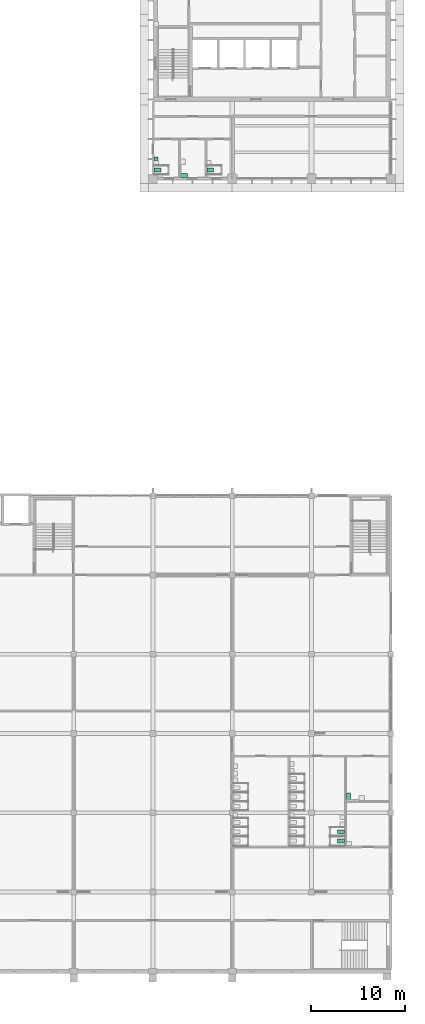
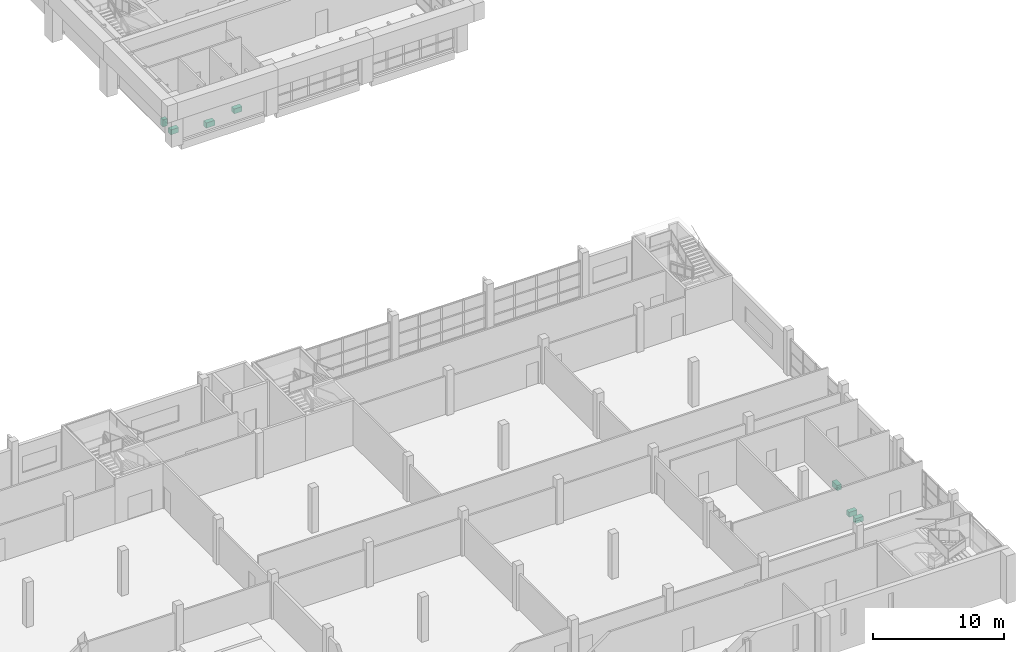
# One storey, part 56 of 56: 7 sanitary terminals.
"""IFC4 building model written with IfcOpenShell, lengths in metres."""

from ifc_helpers import new_model, si_unit, direction, frame, origin, origin_2d, place, context, subcontext, project, spatial, rectangle, extrude, material, type_object, element, save


model = new_model("IFC4")

# Units and contexts
model_context = context("Model", 3, precision=1e-05, world=origin(), true_north=direction((0.0, 1.0)))
body_context = subcontext(model_context, "Body", "Model", "MODEL_VIEW")
ifc_project = project(units=[si_unit("LENGTHUNIT", "METRE"), si_unit("AREAUNIT", "SQUARE_METRE"), si_unit("VOLUMEUNIT", "CUBIC_METRE"), si_unit("PLANEANGLEUNIT", "RADIAN"), si_unit("MASSUNIT", "GRAM", prefix="KILO")], contexts=[model_context])

# Site, building, storey
site_placement = place(None, origin())
site = spatial("IfcSite", under=ifc_project, at=site_placement, CompositionType="ELEMENT")
building_placement = place(site_placement, origin())
building = spatial("IfcBuilding", under=site, at=building_placement, Name="Rulbaag Community and Learning Centre", CompositionType="ELEMENT")
storey_placement = place(building_placement, frame((0.0, 0.0, 9.89990234375)))
storey = spatial("IfcBuildingStorey", under=building, at=storey_placement, Name="L02", CompositionType="ELEMENT", Elevation=9.89990234375)

# Sanitary terminals
ifc_material = material(Name="Vitreous china", Category="ceramic")
sanitary_terminal_type_1 = type_object("IfcSanitaryTerminalType", Name="UR-350", PredefinedType="URINAL", material=ifc_material)
sanitary_terminal_1_placement = place(storey_placement, frame((143.1298828125, 86.10498046875, 0.000244140625), z_axis=(0.0, 0.0, 1.0), x_axis=(1.0, 0.0, 0.0)))
element("IfcSanitaryTerminal", 1, at=sanitary_terminal_1_placement, inside=storey, type_object=sanitary_terminal_type_1, Name="Urinal 152", PredefinedType="URINAL", context=body_context, shape_type="SweptSolid", body=[
    extrude(rectangle(XDim=0.39990234375, YDim=0.35009765625, at=origin_2d()), origin(), (0.0, 0.0, 1.0), 0.64990234375),
])
sanitary_terminal_type_2 = type_object("IfcSanitaryTerminalType", Name="WC-400", PredefinedType="TOILETPAN", material=ifc_material)
for number, where, z_axis, x_axis, name in (
    (2, (162.719970703125, 13.820068359375, 0.0), (0.0, 0.0, 1.0), (1.0, 0.0, 0.0), "WC 107"),
    (3, (162.719970703125, 14.800048828125, 0.0), (0.0, 0.0, 1.0), (1.0, 0.0, 0.0), "WC 108"),
    (4, (143.280029296875, 84.919921875, 0.0), (0.0, 0.0, 1.0), (1.0, 0.0, 0.0), "WC 126"),
    (5, (148.8798828125, 84.919921875, 0.0), (0.0, 0.0, 1.0), (1.0, 0.0, 0.0), "WC 127"),
):
    element("IfcSanitaryTerminal", number, at=place(storey_placement, frame(where, z_axis=z_axis, x_axis=x_axis)), inside=storey, type_object=sanitary_terminal_type_2, Name=name, PredefinedType="TOILETPAN", context=body_context, shape_type="SweptSolid", body=[
        extrude(rectangle(XDim=0.699951171875, YDim=0.39990234375, at=origin_2d()), origin(), (0.0, 0.0, 1.0), 0.449951171875),
    ])
sanitary_terminal_type_3 = type_object("IfcSanitaryTerminalType", Name="WC-AC-480", PredefinedType="TOILETPAN", material=ifc_material)
sanitary_terminal_2_placement = place(storey_placement, frame((163.530029296875, 18.5048828125, 0.0), z_axis=(0.0, 0.0, 1.0), x_axis=(1.0, 0.0, 0.0)))
element("IfcSanitaryTerminal", 6, at=sanitary_terminal_2_placement, inside=storey, type_object=sanitary_terminal_type_3, Name="WC 118", PredefinedType="TOILETPAN", context=body_context, shape_type="SweptSolid", body=[
    extrude(rectangle(XDim=0.39990234375, YDim=0.75, at=origin_2d()), origin(), (0.0, 0.0, 1.0), 0.47998046875),
])
sanitary_terminal_3_placement = place(storey_placement, frame((146.10498046875, 84.330078125, 0.0), z_axis=(0.0, 0.0, 1.0), x_axis=(1.0, 0.0, 0.0)))
element("IfcSanitaryTerminal", 7, at=sanitary_terminal_3_placement, inside=storey, type_object=sanitary_terminal_type_3, Name="WC 128", PredefinedType="TOILETPAN", context=body_context, shape_type="SweptSolid", body=[
    extrude(rectangle(XDim=0.75, YDim=0.39990234375, at=origin_2d()), origin(), (0.0, 0.0, 1.0), 0.47998046875),
])

save(model, "model.ifc")
